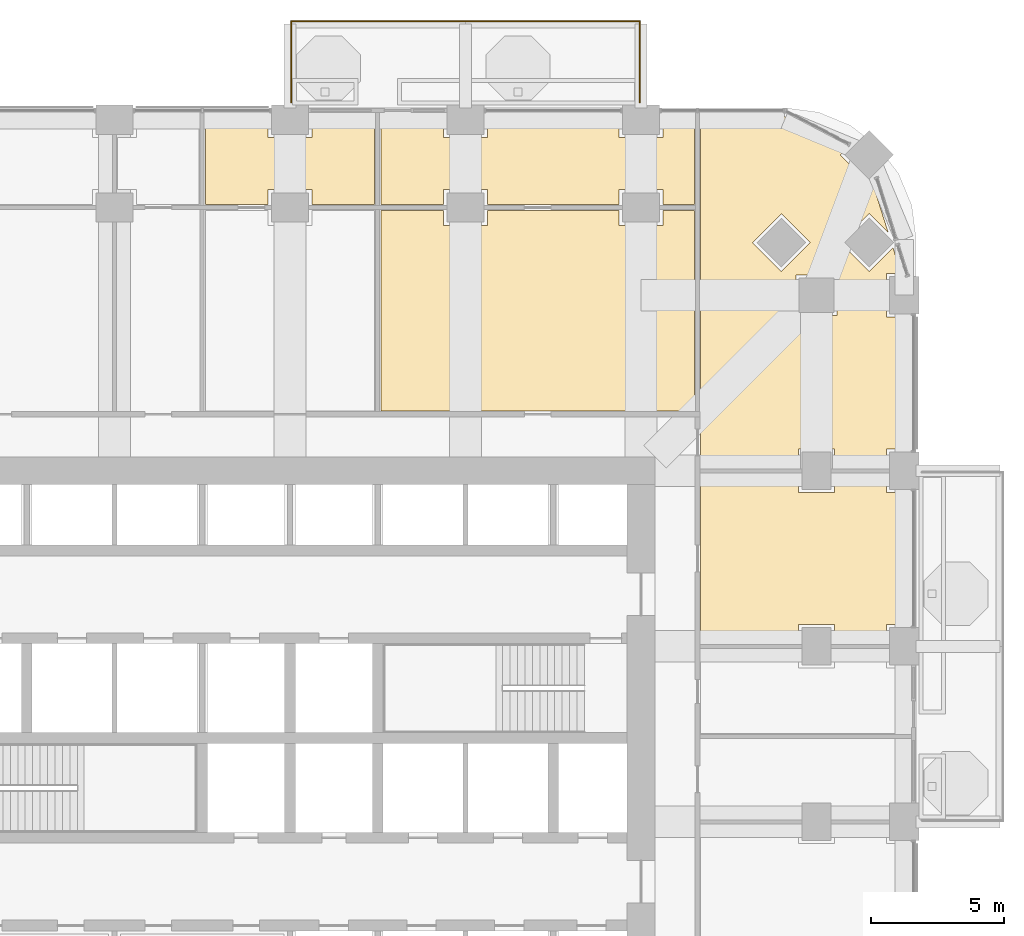
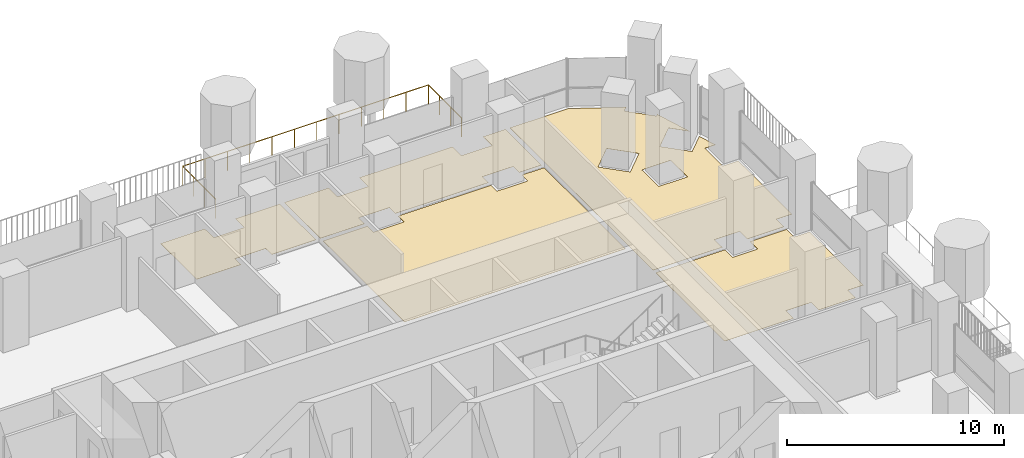
# One storey, part 21 of 22: 5 coverings, 1 railing.
"""IFC4 building model written with IfcOpenShell, lengths in metres."""

from ifc_helpers import new_model, si_unit, direction, frame, origin, place, context, subcontext, project, spatial, polyline, outline, extrude, material, layer, layer_set, type_object, element, save


model = new_model("IFC4")

# Units and contexts
model_context = context("Model", 3, precision=1e-05, world=origin(), true_north=direction((0.0, 1.0)))
body_context = subcontext(model_context, "Body", "Model", "MODEL_VIEW")
ifc_project = project(units=[si_unit("LENGTHUNIT", "METRE"), si_unit("AREAUNIT", "SQUARE_METRE"), si_unit("VOLUMEUNIT", "CUBIC_METRE"), si_unit("PLANEANGLEUNIT", "RADIAN"), si_unit("MASSUNIT", "GRAM", prefix="KILO")], contexts=[model_context])

# Site, building, storey
site_placement = place(None, origin())
site = spatial("IfcSite", under=ifc_project, at=site_placement, CompositionType="ELEMENT")
building_placement = place(site_placement, origin())
building = spatial("IfcBuilding", under=site, at=building_placement, Name="Cobogo Forest Laboratory Tower", CompositionType="ELEMENT")
storey_placement = place(building_placement, frame((0.0, 0.0, 111.60009765625)))
storey = spatial("IfcBuildingStorey", under=building, at=storey_placement, Name="L25", CompositionType="ELEMENT", Elevation=111.60009765625)

# Railing
ifc_material_1 = material(Name="Laminated glass balustrade", Category="glass")
railing_type = type_object("IfcRailingType", Name="BG1 glass balustrade 1100", PredefinedType="GUARDRAIL", material=ifc_material_1)
railing_placement = place(storey_placement, frame((26.449951171875, 46.85009765625, 0.0)))
element("IfcRailing", 1, at=railing_placement, inside=storey, type_object=railing_type, Name="Balcony balustrade BAL-N1 L25", PredefinedType="GUARDRAIL", context=body_context, shape_type="SweptSolid", body=[
    extrude(outline(polyline([(0.022216796875, 0.00927734375), (0.00927734375, 0.022216796875), (-0.00927734375, 0.022216796875), (-0.022216796875, 0.00927734375), (-0.022216796875, -0.00927734375), (-0.00927734375, -0.022216796875), (0.00927734375, -0.022216796875), (0.022216796875, -0.00927734375), (0.022216796875, 0.00927734375)])), frame((0.0, 0.0, 1.077880859375), z_axis=(0.0, 1.0, 0.0), x_axis=(-1.0, 0.0, 0.0)), (0.0, 0.0, 1.0), 3.0498046875),
    extrude(outline(polyline([(0.022216796875, 0.00927734375), (0.00927734375, 0.022216796875), (-0.00927734375, 0.022216796875), (-0.022216796875, 0.00927734375), (-0.022216796875, -0.00927734375), (-0.00927734375, -0.022216796875), (0.00927734375, -0.022216796875), (0.022216796875, -0.00927734375), (0.022216796875, 0.00927734375)])), frame((0.0, 3.0498046875, 1.077880859375), z_axis=(1.0, 0.0, 0.0), x_axis=(0.0, 1.0, 0.0)), (0.0, 0.0, 1.0), 13.10009765625),
    extrude(outline(polyline([(0.022216796875, 0.00927734375), (0.00927734375, 0.022216796875), (-0.00927734375, 0.022216796875), (-0.022216796875, 0.00927734375), (-0.022216796875, -0.00927734375), (-0.00927734375, -0.022216796875), (0.00927734375, -0.022216796875), (0.022216796875, -0.00927734375), (0.022216796875, 0.00927734375)])), frame((13.10009765625, 3.0498046875, 1.077880859375), z_axis=(0.0, -1.0, 0.0), x_axis=(1.0, 0.0, 0.0)), (0.0, 0.0, 1.0), 3.0498046875),
    extrude(outline(polyline([(0.019287109375, 0.008056640625), (0.008056640625, 0.019287109375), (-0.008056640625, 0.019287109375), (-0.019287109375, 0.008056640625), (-0.019287109375, -0.008056640625), (-0.008056640625, -0.019287109375), (0.008056640625, -0.019287109375), (0.019287109375, -0.008056640625), (0.019287109375, 0.008056640625)])), origin(), (0.0, 0.0, 1.0), 1.077880859375),
    extrude(outline(polyline([(0.019287109375, 0.008056640625), (0.008056640625, 0.019287109375), (-0.008056640625, 0.019287109375), (-0.019287109375, 0.008056640625), (-0.019287109375, -0.008056640625), (-0.008056640625, -0.019287109375), (0.008056640625, -0.019287109375), (0.019287109375, -0.008056640625), (0.019287109375, 0.008056640625)])), frame((0.0, 1.0166015625, 0.0)), (0.0, 0.0, 1.0), 1.077880859375),
    extrude(outline(polyline([(0.019287109375, 0.008056640625), (0.008056640625, 0.019287109375), (-0.008056640625, 0.019287109375), (-0.019287109375, 0.008056640625), (-0.019287109375, -0.008056640625), (-0.008056640625, -0.019287109375), (0.008056640625, -0.019287109375), (0.019287109375, -0.008056640625), (0.019287109375, 0.008056640625)])), frame((0.0, 2.033203125, 0.0)), (0.0, 0.0, 1.0), 1.077880859375),
    extrude(outline(polyline([(0.019287109375, 0.008056640625), (0.008056640625, 0.019287109375), (-0.008056640625, 0.019287109375), (-0.019287109375, 0.008056640625), (-0.019287109375, -0.008056640625), (-0.008056640625, -0.019287109375), (0.008056640625, -0.019287109375), (0.019287109375, -0.008056640625), (0.019287109375, 0.008056640625)])), frame((0.0, 3.0498046875, 0.0)), (0.0, 0.0, 1.0), 1.077880859375),
    extrude(outline(polyline([(0.019287109375, 0.008056640625), (0.008056640625, 0.019287109375), (-0.008056640625, 0.019287109375), (-0.019287109375, 0.008056640625), (-0.019287109375, -0.008056640625), (-0.008056640625, -0.019287109375), (0.008056640625, -0.019287109375), (0.019287109375, -0.008056640625), (0.019287109375, 0.008056640625)])), frame((1.19091796875, 3.0498046875, 0.0)), (0.0, 0.0, 1.0), 1.077880859375),
    extrude(outline(polyline([(0.019287109375, 0.008056640625), (0.008056640625, 0.019287109375), (-0.008056640625, 0.019287109375), (-0.019287109375, 0.008056640625), (-0.019287109375, -0.008056640625), (-0.008056640625, -0.019287109375), (0.008056640625, -0.019287109375), (0.019287109375, -0.008056640625), (0.019287109375, 0.008056640625)])), frame((2.3818359375, 3.0498046875, 0.0)), (0.0, 0.0, 1.0), 1.077880859375),
    extrude(outline(polyline([(0.019287109375, 0.008056640625), (0.008056640625, 0.019287109375), (-0.008056640625, 0.019287109375), (-0.019287109375, 0.008056640625), (-0.019287109375, -0.008056640625), (-0.008056640625, -0.019287109375), (0.008056640625, -0.019287109375), (0.019287109375, -0.008056640625), (0.019287109375, 0.008056640625)])), frame((3.57275390625, 3.0498046875, 0.0)), (0.0, 0.0, 1.0), 1.077880859375),
    extrude(outline(polyline([(0.019287109375, 0.008056640625), (0.008056640625, 0.019287109375), (-0.008056640625, 0.019287109375), (-0.019287109375, 0.008056640625), (-0.019287109375, -0.008056640625), (-0.008056640625, -0.019287109375), (0.008056640625, -0.019287109375), (0.019287109375, -0.008056640625), (0.019287109375, 0.008056640625)])), frame((4.763671875, 3.0498046875, 0.0)), (0.0, 0.0, 1.0), 1.077880859375),
    extrude(outline(polyline([(0.019287109375, 0.008056640625), (0.008056640625, 0.019287109375), (-0.008056640625, 0.019287109375), (-0.019287109375, 0.008056640625), (-0.019287109375, -0.008056640625), (-0.008056640625, -0.019287109375), (0.008056640625, -0.019287109375), (0.019287109375, -0.008056640625), (0.019287109375, 0.008056640625)])), frame((5.95458984375, 3.0498046875, 0.0)), (0.0, 0.0, 1.0), 1.077880859375),
    extrude(outline(polyline([(0.019287109375, 0.008056640625), (0.008056640625, 0.019287109375), (-0.008056640625, 0.019287109375), (-0.019287109375, 0.008056640625), (-0.019287109375, -0.008056640625), (-0.008056640625, -0.019287109375), (0.008056640625, -0.019287109375), (0.019287109375, -0.008056640625), (0.019287109375, 0.008056640625)])), frame((7.1455078125, 3.0498046875, 0.0)), (0.0, 0.0, 1.0), 1.077880859375),
    extrude(outline(polyline([(0.019287109375, 0.008056640625), (0.008056640625, 0.019287109375), (-0.008056640625, 0.019287109375), (-0.019287109375, 0.008056640625), (-0.019287109375, -0.008056640625), (-0.008056640625, -0.019287109375), (0.008056640625, -0.019287109375), (0.019287109375, -0.008056640625), (0.019287109375, 0.008056640625)])), frame((8.33642578125, 3.0498046875, 0.0)), (0.0, 0.0, 1.0), 1.077880859375),
    extrude(outline(polyline([(0.019287109375, 0.008056640625), (0.008056640625, 0.019287109375), (-0.008056640625, 0.019287109375), (-0.019287109375, 0.008056640625), (-0.019287109375, -0.008056640625), (-0.008056640625, -0.019287109375), (0.008056640625, -0.019287109375), (0.019287109375, -0.008056640625), (0.019287109375, 0.008056640625)])), frame((9.52734375, 3.0498046875, 0.0)), (0.0, 0.0, 1.0), 1.077880859375),
    extrude(outline(polyline([(0.019287109375, 0.008056640625), (0.008056640625, 0.019287109375), (-0.008056640625, 0.019287109375), (-0.019287109375, 0.008056640625), (-0.019287109375, -0.008056640625), (-0.008056640625, -0.019287109375), (0.008056640625, -0.019287109375), (0.019287109375, -0.008056640625), (0.019287109375, 0.008056640625)])), frame((10.71826171875, 3.0498046875, 0.0)), (0.0, 0.0, 1.0), 1.077880859375),
    extrude(outline(polyline([(0.019287109375, 0.008056640625), (0.008056640625, 0.019287109375), (-0.008056640625, 0.019287109375), (-0.019287109375, 0.008056640625), (-0.019287109375, -0.008056640625), (-0.008056640625, -0.019287109375), (0.008056640625, -0.019287109375), (0.019287109375, -0.008056640625), (0.019287109375, 0.008056640625)])), frame((11.9091796875, 3.0498046875, 0.0)), (0.0, 0.0, 1.0), 1.077880859375),
    extrude(outline(polyline([(0.019287109375, 0.008056640625), (0.008056640625, 0.019287109375), (-0.008056640625, 0.019287109375), (-0.019287109375, 0.008056640625), (-0.019287109375, -0.008056640625), (-0.008056640625, -0.019287109375), (0.008056640625, -0.019287109375), (0.019287109375, -0.008056640625), (0.019287109375, 0.008056640625)])), frame((13.10009765625, 3.0498046875, 0.0)), (0.0, 0.0, 1.0), 1.077880859375),
    extrude(outline(polyline([(0.019287109375, 0.008056640625), (0.008056640625, 0.019287109375), (-0.008056640625, 0.019287109375), (-0.019287109375, 0.008056640625), (-0.019287109375, -0.008056640625), (-0.008056640625, -0.019287109375), (0.008056640625, -0.019287109375), (0.019287109375, -0.008056640625), (0.019287109375, 0.008056640625)])), frame((13.10009765625, 2.033203125, 0.0)), (0.0, 0.0, 1.0), 1.077880859375),
    extrude(outline(polyline([(0.019287109375, 0.008056640625), (0.008056640625, 0.019287109375), (-0.008056640625, 0.019287109375), (-0.019287109375, 0.008056640625), (-0.019287109375, -0.008056640625), (-0.008056640625, -0.019287109375), (0.008056640625, -0.019287109375), (0.019287109375, -0.008056640625), (0.019287109375, 0.008056640625)])), frame((13.10009765625, 1.0166015625, 0.0)), (0.0, 0.0, 1.0), 1.077880859375),
    extrude(outline(polyline([(0.019287109375, 0.008056640625), (0.008056640625, 0.019287109375), (-0.008056640625, 0.019287109375), (-0.019287109375, 0.008056640625), (-0.019287109375, -0.008056640625), (-0.008056640625, -0.019287109375), (0.008056640625, -0.019287109375), (0.019287109375, -0.008056640625), (0.019287109375, 0.008056640625)])), frame((13.10009765625, 0.0, 0.0)), (0.0, 0.0, 1.0), 1.077880859375),
])

# Coverings
ifc_material_2 = material(Name="Carpet tile on raised access floor", Category="flooring")
ifc_layer_1 = layer(ifc_material_2, 0.008056640625)
ifc_layer_set_1 = layer_set([ifc_layer_1], Name="CT1 carpet tile floor 8")
covering_type_1 = type_object("IfcCoveringType", Name="CT1 carpet tile floor 8", PredefinedType="FLOORING", material=ifc_layer_set_1)
covering_1_placement = place(storey_placement, origin())
element("IfcCovering", 2, at=covering_1_placement, inside=storey, type_object=covering_type_1, Name="Carpet floor L25-12", PredefinedType="FLOORING", context=body_context, shape_type="SweptSolid", body=[
    extrude(outline(polyline([(41.844970703125, 32.8798828125), (45.530029296875, 32.8798828125), (45.530029296875, 32.179931640625), (46.8701171875, 32.179931640625), (46.8701171875, 32.8798828125), (48.830078125, 32.8798828125), (48.830078125, 32.179931640625), (49.64990234375, 32.179931640625), (49.64990234375, 27.219970703125), (48.830078125, 27.219970703125), (48.830078125, 26.52001953125), (46.8701171875, 26.52001953125), (46.8701171875, 27.219970703125), (45.530029296875, 27.219970703125), (45.530029296875, 26.52001953125), (41.844970703125, 26.52001953125), (41.844970703125, 32.8798828125)])), origin(), (0.0, 0.0, 1.0), 0.0078125),
])
covering_2_placement = place(storey_placement, origin())
element("IfcCovering", 3, at=covering_2_placement, inside=storey, type_object=covering_type_1, Name="Carpet floor L25-13", PredefinedType="FLOORING", context=body_context, shape_type="SweptSolid", body=[
    extrude(outline(polyline([(41.844970703125, 46.35009765625), (44.95068359375, 46.35009765625), (47.3193359375, 45.1083984375), (47.093017578125, 44.882080078125), (48.181884765625, 43.79296875), (48.283935546875, 43.89501953125), (48.89599609375, 41.95703125), (48.181884765625, 42.6708984375), (47.093017578125, 41.58203125), (48.181884765625, 40.492919921875), (49.075927734375, 41.386962890625), (49.38134765625, 40.419921875), (48.830078125, 40.419921875), (48.830078125, 38.780029296875), (49.64990234375, 38.780029296875), (49.64990234375, 33.820068359375), (48.830078125, 33.820068359375), (48.830078125, 33.1201171875), (46.8701171875, 33.1201171875), (46.8701171875, 33.820068359375), (45.530029296875, 33.820068359375), (45.530029296875, 33.1201171875), (41.844970703125, 33.1201171875), (41.844970703125, 46.35009765625)]), holes=[polyline([(45.429931640625, 40.3701171875), (45.429931640625, 38.830078125), (46.969970703125, 38.830078125), (46.969970703125, 40.3701171875), (45.429931640625, 40.3701171875)]), polyline([(43.79296875, 41.58203125), (44.882080078125, 40.492919921875), (45.970947265625, 41.58203125), (44.882080078125, 42.6708984375), (43.79296875, 41.58203125)])]), origin(), (0.0, 0.0, 1.0), 0.0078125),
])
covering_3_placement = place(storey_placement, origin())
element("IfcCovering", 4, at=covering_3_placement, inside=storey, type_object=covering_type_1, Name="Carpet floor L25-19", PredefinedType="FLOORING", context=body_context, shape_type="SweptSolid", body=[
    extrude(outline(polyline([(27.219970703125, 43.02001953125), (27.219970703125, 43.570068359375), (25.580078125, 43.570068359375), (25.580078125, 43.02001953125), (23.219970703125, 43.02001953125), (23.219970703125, 46.35009765625), (25.580078125, 46.35009765625), (25.580078125, 45.530029296875), (27.219970703125, 45.530029296875), (27.219970703125, 46.35009765625), (29.580078125, 46.35009765625), (29.580078125, 43.02001953125), (27.219970703125, 43.02001953125)])), origin(), (0.0, 0.0, 1.0), 0.0078125),
])
covering_4_placement = place(storey_placement, origin())
element("IfcCovering", 5, at=covering_4_placement, inside=storey, type_object=covering_type_1, Name="Carpet floor L25-21", PredefinedType="FLOORING", context=body_context, shape_type="SweptSolid", body=[
    extrude(outline(polyline([(40.419921875, 43.02001953125), (40.419921875, 43.570068359375), (38.780029296875, 43.570068359375), (38.780029296875, 43.02001953125), (33.820068359375, 43.02001953125), (33.820068359375, 43.570068359375), (32.179931640625, 43.570068359375), (32.179931640625, 43.02001953125), (29.820068359375, 43.02001953125), (29.820068359375, 46.35009765625), (32.179931640625, 46.35009765625), (32.179931640625, 45.530029296875), (33.820068359375, 45.530029296875), (33.820068359375, 46.35009765625), (38.780029296875, 46.35009765625), (38.780029296875, 45.530029296875), (40.419921875, 45.530029296875), (40.419921875, 46.35009765625), (41.60498046875, 46.35009765625), (41.60498046875, 43.02001953125), (40.419921875, 43.02001953125)])), origin(), (0.0, 0.0, 1.0), 0.0078125),
])
ifc_material_3 = material(Name="Ceramic floor tile", Category="flooring")
ifc_layer_2 = layer(ifc_material_3, 0.010009765625)
ifc_layer_set_2 = layer_set([ifc_layer_2], Name="TF1 ceramic tile floor 10")
covering_type_2 = type_object("IfcCoveringType", Name="TF1 ceramic tile floor 10", PredefinedType="FLOORING", material=ifc_layer_set_2)
covering_5_placement = place(storey_placement, origin())
element("IfcCovering", 6, at=covering_5_placement, inside=storey, type_object=covering_type_2, Name="Tile floor L25-20", PredefinedType="FLOORING", context=body_context, shape_type="SweptSolid", body=[
    extrude(outline(polyline([(29.820068359375, 42.780029296875), (32.179931640625, 42.780029296875), (32.179931640625, 42.22998046875), (33.820068359375, 42.22998046875), (33.820068359375, 42.780029296875), (38.780029296875, 42.780029296875), (38.780029296875, 42.22998046875), (40.419921875, 42.22998046875), (40.419921875, 42.780029296875), (41.60498046875, 42.780029296875), (41.60498046875, 35.2451171875), (29.820068359375, 35.2451171875), (29.820068359375, 42.780029296875)])), origin(), (0.0, 0.0, 1.0), 0.010009765625),
])

save(model, "model.ifc")
